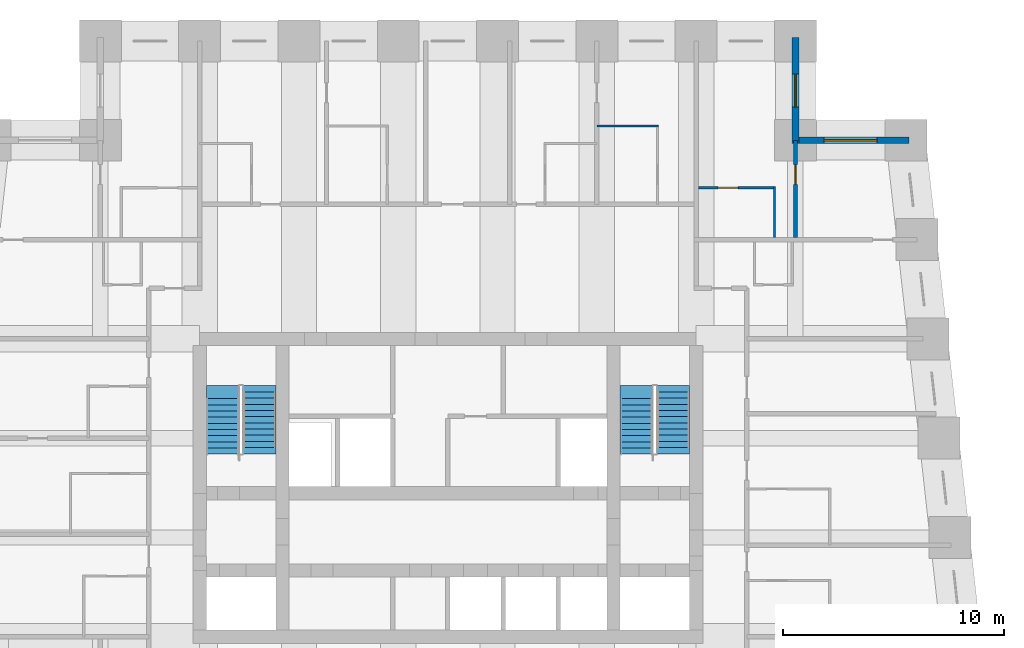
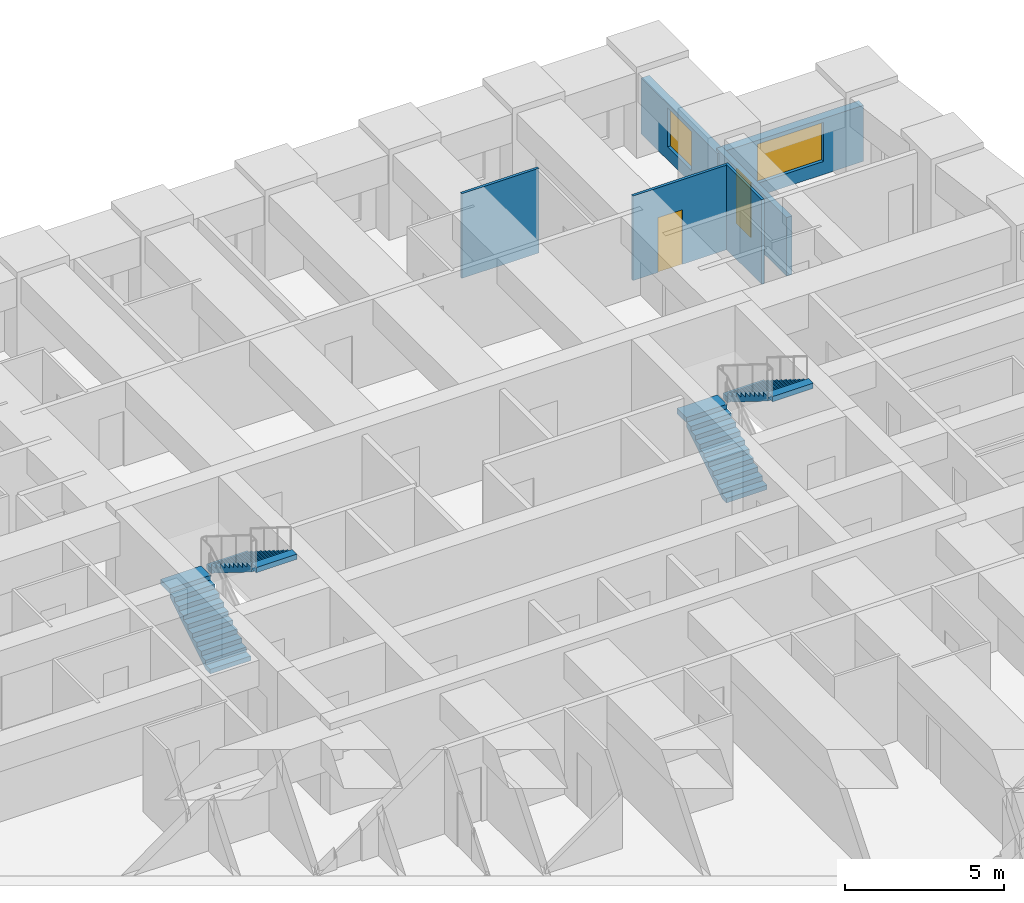
# One storey, part 7 of 8: 6 walls, 4 stair flights, 2 doors, 2 windows, 4 openings, 2 elements without a shape of their own.
"""IFC4 building model written with IfcOpenShell, lengths in metres."""

from ifc_helpers import new_model, si_unit, direction, frame, frame_2d, origin, place, context, subcontext, project, spatial, polyline, rectangle, outline, extrude, material, layer, layer_set, type_object, element, fill, aggregate, save


model = new_model("IFC4")

# Units and contexts
model_context = context("Model", 3, precision=1e-05, world=origin(), true_north=direction((0.0, 1.0)))
body_context = subcontext(model_context, "Body", "Model", "MODEL_VIEW")
ifc_project = project(units=[si_unit("LENGTHUNIT", "METRE"), si_unit("AREAUNIT", "SQUARE_METRE"), si_unit("VOLUMEUNIT", "CUBIC_METRE"), si_unit("PLANEANGLEUNIT", "RADIAN"), si_unit("MASSUNIT", "GRAM", prefix="KILO")], contexts=[model_context])

# Site, building, storey
site_placement = place(None, origin())
site = spatial("IfcSite", under=ifc_project, at=site_placement, CompositionType="ELEMENT")
building_placement = place(site_placement, origin())
building = spatial("IfcBuilding", under=site, at=building_placement, Name="Kilele Tower Hotel", CompositionType="ELEMENT")
storey_placement = place(building_placement, frame((0.0, 0.0, 110.89990234375)))
storey = spatial("IfcBuildingStorey", under=building, at=storey_placement, Name="L28", CompositionType="ELEMENT", Elevation=110.89990234375)

# Walls
ifc_material_1 = material(Name="Moisture-resistant board")
ifc_layer_1 = layer(ifc_material_1, 0.10009765625)
ifc_layer_set_1 = layer_set([ifc_layer_1], Name="Moisture-resistant board")
wall_type_1 = type_object("IfcWallType", Name="Bathroom partition 100", PredefinedType="PLUMBINGWALL", material=ifc_layer_set_1)
wall_1_placement = place(storey_placement, frame((31.5, 36.64990234375, 0.0), z_axis=(0.0, 0.0, 1.0), x_axis=(1.0, 0.0, 0.0)))
element("IfcWall", 1, at=wall_1_placement, inside=storey, type_object=wall_type_1, Name="Bathroom partition 100 L28", PredefinedType="PLUMBINGWALL", context=body_context, shape_type="SweptSolid", body=[
    extrude(rectangle(XDim=2.800048828125, YDim=0.10009765625, at=frame_2d((1.39990234375, 0.0))), origin(), (0.0, 0.0, 1.0), 3.25),
])
wall_2_placement = place(storey_placement, frame((39.550048828125, 31.60009765625, 0.0), z_axis=(0.0, 0.0, 1.0), x_axis=(0.0, 1.0, 0.0)))
element("IfcWall", 2, at=wall_2_placement, inside=storey, type_object=wall_type_1, Name="Bathroom partition 100 L28", PredefinedType="PLUMBINGWALL", context=body_context, shape_type="SweptSolid", body=[
    extrude(rectangle(XDim=2.2998046875, YDim=0.10009765625, at=frame_2d((1.14990234375, 0.0))), origin(), (0.0, 0.0, 1.0), 3.25),
])

# Wall, opening, door
wall_3_placement = place(storey_placement, frame((36.10009765625, 33.85009765625, 0.0), z_axis=(0.0, 0.0, 1.0), x_axis=(1.0, 0.0, 0.0)))
wall_3 = element("IfcWall", 3, at=wall_3_placement, inside=storey, type_object=wall_type_1, Name="Bathroom partition 100 L28", PredefinedType="PLUMBINGWALL", context=body_context, shape_type="SweptSolid", body=[
    extrude(rectangle(XDim=3.5, YDim=0.10009765625, at=frame_2d((1.75, 0.0))), origin(), (0.0, 0.0, 1.0), 3.25),
])
opening_1_placement = place(wall_3_placement, frame((0.89990234375, 0.0, 0.0)))
opening_1 = element("IfcOpeningElement", 4, at=opening_1_placement, cuts=wall_3, Name="Opening D2A", PredefinedType="OPENING", context=body_context, shape_type="SweptSolid", body=[
    extrude(rectangle(XDim=0.89990234375, YDim=2.10009765625, at=frame_2d((0.449951171875, 1.050048828125))), frame((0.0, 0.06005859375, 0.0), z_axis=(0.0, -1.0, 0.0), x_axis=(1.0, 0.0, 0.0)), (0.0, 0.0, 1.0), 0.1201171875),
])
ifc_material_2 = material(Name="Timber door leaf in hardwood frame", Category="wood")
door_type_1 = type_object("IfcDoorType", Name="Bathroom door 900", OperationType="SINGLE_SWING_LEFT", PredefinedType="DOOR", material=ifc_material_2)
door_1_placement = place(opening_1_placement, origin())
door_1 = element("IfcDoor", 5, at=door_1_placement, inside=storey, type_object=door_type_1, Name="Bathroom door 2824B", OperationType="SINGLE_SWING_LEFT", OverallHeight=2.10009765625, OverallWidth=0.89990234375, PredefinedType="DOOR", context=body_context, shape_type="SweptSolid", body=[
    extrude(rectangle(XDim=0.89990234375, YDim=2.10009765625, at=frame_2d((0.449951171875, 1.050048828125))), frame((0.0, 0.02490234375, 0.0), z_axis=(0.0, -1.0, 0.0), x_axis=(1.0, 0.0, 0.0)), (0.0, 0.0, 1.0), 0.050048828125),
])
fill(opening_1, door_1)

ifc_material_3 = material(Name="Blockwork, plastered both sides", Category="masonry")
ifc_layer_2 = layer(ifc_material_3, 0.199951171875)
ifc_layer_set_2 = layer_set([ifc_layer_2], Name="Blockwork, plastered both sides")
wall_type_2 = type_object("IfcWallType", Name="Partition wall 200", PredefinedType="PARTITIONING", material=ifc_layer_set_2)
wall_4_placement = place(storey_placement, frame((40.5, 31.60009765625, 0.0), z_axis=(0.0, 0.0, 1.0), x_axis=(0.0, 1.0, 0.0)))
wall_4 = element("IfcWall", 6, at=wall_4_placement, inside=storey, type_object=wall_type_2, Name="Partition wall 200 L28", PredefinedType="PARTITIONING", context=body_context, shape_type="SweptSolid", body=[
    extrude(rectangle(XDim=4.39990234375, YDim=0.199951171875, at=frame_2d((2.199951171875, 0.0))), origin(), (0.0, 0.0, 1.0), 2.25),
])
opening_2_placement = place(wall_4_placement, frame((2.39990234375, 0.0, 0.0)))
opening_2 = element("IfcOpeningElement", 7, at=opening_2_placement, cuts=wall_4, Name="Opening D3", PredefinedType="OPENING", context=body_context, shape_type="SweptSolid", body=[
    extrude(rectangle(XDim=0.89990234375, YDim=2.10009765625, at=frame_2d((0.449951171875, 1.050048828125))), frame((0.0, 0.10986328125, 0.0), z_axis=(0.0, -1.0, 0.0), x_axis=(1.0, 0.0, 0.0)), (0.0, 0.0, 1.0), 0.219970703125),
])
ifc_material_4 = material(Name="Timber door leaf in hardwood frame", Category="wood")
door_type_2 = type_object("IfcDoorType", Name="Suite internal door 900", OperationType="SINGLE_SWING_LEFT", PredefinedType="DOOR", material=ifc_material_4)
door_2_placement = place(opening_2_placement, origin())
door_2 = element("IfcDoor", 8, at=door_2_placement, inside=storey, type_object=door_type_2, Name="Suite door 2825", OperationType="SINGLE_SWING_LEFT", OverallHeight=2.10009765625, OverallWidth=0.89990234375, PredefinedType="DOOR", context=body_context, shape_type="SweptSolid", body=[
    extrude(rectangle(XDim=0.89990234375, YDim=2.10009765625, at=frame_2d((0.449951171875, 1.050048828125))), frame((0.0, 0.02490234375, 0.0), z_axis=(0.0, -1.0, 0.0), x_axis=(1.0, 0.0, 0.0)), (0.0, 0.0, 1.0), 0.050048828125),
])
fill(opening_2, door_2)

# Wall, opening, window
ifc_material_5 = material(Name="Concrete C40/50 precast", Category="concrete")
ifc_layer_3 = layer(ifc_material_5, 0.260009765625, Name="Precast backing", Category="LoadBearing")
ifc_material_6 = material(Name="Reconstituted stone finish", Category="masonry")
ifc_layer_4 = layer(ifc_material_6, 0.0400390625, Name="Face mix", Category="Finish")
ifc_layer_set_3 = layer_set([ifc_layer_3, ifc_layer_4], Name="Precast concrete C40/50, reconstituted stone finish")
wall_type_3 = type_object("IfcWallType", Name="Precast stone facade wall 300", PredefinedType="STANDARD", material=ifc_layer_set_3)
wall_5_placement = place(storey_placement, frame((45.64990234375, 36.0, 0.0), z_axis=(0.0, 0.0, 1.0), x_axis=(-1.0, 0.0, 0.0)))
wall_5 = element("IfcWall", 9, at=wall_5_placement, inside=storey, type_object=wall_type_3, Name="Facade wall L28 edge 7", PredefinedType="STANDARD", context=body_context, shape_type="SweptSolid", body=[
    extrude(rectangle(XDim=5.2998046875, YDim=0.300048828125, at=frame_2d((2.64990234375, 0.0))), origin(), (0.0, 0.0, 1.0), 2.150146484375),
])
opening_3_placement = place(wall_5_placement, frame((1.449951171875, 0.0, 0.5)))
opening_3 = element("IfcOpeningElement", 10, at=opening_3_placement, cuts=wall_5, Name="Opening W2", PredefinedType="OPENING", context=body_context, shape_type="SweptSolid", body=[
    extrude(rectangle(XDim=2.39990234375, YDim=1.5, at=frame_2d((1.199951171875, 0.75))), frame((0.0, 0.159912109375, 0.0), z_axis=(0.0, -1.0, 0.0), x_axis=(1.0, 0.0, 0.0)), (0.0, 0.0, 1.0), 0.320068359375),
])
ifc_material_7 = material(Name="Aluminium frame, clear double glazing", Category="aluminium")
window_type_1 = type_object("IfcWindowType", Name="Window W2 2400 x 1500", PartitioningType="SINGLE_PANEL", PredefinedType="WINDOW", material=ifc_material_7)
window_1_placement = place(opening_3_placement, origin())
window_1 = element("IfcWindow", 11, at=window_1_placement, inside=storey, type_object=window_type_1, Name="Window L28", OverallHeight=1.5, OverallWidth=2.39990234375, PartitioningType="SINGLE_PANEL", PredefinedType="WINDOW", context=body_context, shape_type="SweptSolid", body=[
    extrude(rectangle(XDim=2.39990234375, YDim=1.5, at=frame_2d((1.199951171875, 0.75))), frame((0.0, 0.030029296875, 0.0), z_axis=(0.0, -1.0, 0.0), x_axis=(1.0, 0.0, 0.0)), (0.0, 0.0, 1.0), 0.06005859375),
])
fill(opening_3, window_1)

wall_6_placement = place(storey_placement, frame((40.5, 35.85009765625, 0.0), z_axis=(0.0, 0.0, 1.0), x_axis=(0.0, 1.0, 0.0)))
wall_6 = element("IfcWall", 12, at=wall_6_placement, inside=storey, type_object=wall_type_3, Name="Facade wall L28 edge 8", PredefinedType="STANDARD", context=body_context, shape_type="SweptSolid", body=[
    extrude(rectangle(XDim=4.7998046875, YDim=0.300048828125, at=frame_2d((2.39990234375, 0.0))), origin(), (0.0, 0.0, 1.0), 2.150146484375),
])
opening_4_placement = place(wall_6_placement, frame((1.64990234375, 0.0, 0.5)))
opening_4 = element("IfcOpeningElement", 13, at=opening_4_placement, cuts=wall_6, Name="Opening W2", PredefinedType="OPENING", context=body_context, shape_type="SweptSolid", body=[
    extrude(rectangle(XDim=1.5, YDim=1.5, at=frame_2d((0.75, 0.75))), frame((0.0, 0.159912109375, 0.0), z_axis=(0.0, -1.0, 0.0), x_axis=(1.0, 0.0, 0.0)), (0.0, 0.0, 1.0), 0.320068359375),
])
ifc_material_8 = material(Name="Aluminium frame, clear double glazing", Category="aluminium")
window_type_2 = type_object("IfcWindowType", Name="Window W2 1500 x 1500", PartitioningType="SINGLE_PANEL", PredefinedType="WINDOW", material=ifc_material_8)
window_2_placement = place(opening_4_placement, origin())
window_2 = element("IfcWindow", 14, at=window_2_placement, inside=storey, type_object=window_type_2, Name="Window L28", OverallHeight=1.5, OverallWidth=1.5, PartitioningType="SINGLE_PANEL", PredefinedType="WINDOW", context=body_context, shape_type="SweptSolid", body=[
    extrude(rectangle(XDim=1.5, YDim=1.5, at=frame_2d((0.75, 0.75))), frame((0.0, 0.030029296875, 0.0), z_axis=(0.0, -1.0, 0.0), x_axis=(1.0, 0.0, 0.0)), (0.0, 0.0, 1.0), 0.06005859375),
])
fill(opening_4, window_2)

# Stair, stair flights
ifc_material_9 = material(Name="Precast concrete C40/50", Category="concrete")
stair_type = type_object("IfcStairType", Name="Stair 1475 x 3500", PredefinedType="HALF_TURN_STAIR", material=ifc_material_9)
stair_1_placement = place(storey_placement, origin())
stair_1 = element("IfcStair", 15, at=stair_1_placement, inside=storey, type_object=stair_type, Name="Stair 1 L28", PredefinedType="HALF_TURN_STAIR")
ifc_material_10 = material(Name="Precast concrete C40/50", Category="concrete")
stair_flight_type = type_object("IfcStairFlightType", Name="Flight 1475 riser 175.0", PredefinedType="STRAIGHT", material=ifc_material_10)
stair_flight_1_placement = place(storey_placement, frame((14.53759765625, 21.77490234375, 0.0), z_axis=(0.0, 0.0, 1.0), x_axis=(0.0, 1.0, 0.0)))
stair_flight_1 = element("IfcStairFlight", 16, at=stair_flight_1_placement, type_object=stair_flight_type, Name="ST1 flight 1", NumberOfRisers=10, NumberOfTreads=9, PredefinedType="STRAIGHT", RiserHeight=0.175, TreadLength=0.28, context=body_context, shape_type="SweptSolid", body=[
    extrude(outline(polyline([(0.0, 0.0), (0.0, 0.175048828125), (0.280029296875, 0.175048828125), (0.280029296875, 0.35009765625), (0.56005859375, 0.35009765625), (0.56005859375, 0.52490234375), (0.840087890625, 0.52490234375), (0.840087890625, 0.699951171875), (1.1201171875, 0.699951171875), (1.1201171875, 0.875), (1.39990234375, 0.875), (1.39990234375, 1.050048828125), (1.679931640625, 1.050048828125), (1.679931640625, 1.22509765625), (1.9599609375, 1.22509765625), (1.9599609375, 1.39990234375), (2.239990234375, 1.39990234375), (2.239990234375, 1.574951171875), (2.52001953125, 1.574951171875), (2.52001953125, 1.75), (2.52001953125, 1.398193359375), (0.28271484375, 0.0), (0.0, 0.0)])), frame((0.0, 0.737548828125, 0.0), z_axis=(0.0, -1.0, 0.0), x_axis=(1.0, 0.0, 0.0)), (0.0, 0.0, 1.0), 1.47509765625),
    extrude(outline(polyline([(2.52001953125, 0.737548828125), (2.52001953125, -0.7373046875), (3.1201171875, -0.7373046875), (3.1201171875, 0.737548828125), (2.52001953125, 0.737548828125)])), frame((0.0, 0.0, 1.550048828125)), (0.0, 0.0, 1.0), 0.199951171875),
])
stair_flight_2_placement = place(storey_placement, frame((16.21240234375, 24.594970703125, 1.75), z_axis=(0.0, 0.0, 1.0), x_axis=(0.0, -1.0, 0.0)))
stair_flight_2 = element("IfcStairFlight", 17, at=stair_flight_2_placement, type_object=stair_flight_type, Name="ST1 flight 2", NumberOfRisers=10, NumberOfTreads=9, PredefinedType="STRAIGHT", RiserHeight=0.175, TreadLength=0.28, context=body_context, shape_type="SweptSolid", body=[
    extrude(outline(polyline([(0.0, 0.0), (0.0, 0.175048828125), (0.280029296875, 0.175048828125), (0.280029296875, 0.35009765625), (0.56005859375, 0.35009765625), (0.56005859375, 0.52490234375), (0.840087890625, 0.52490234375), (0.840087890625, 0.699951171875), (1.1201171875, 0.699951171875), (1.1201171875, 0.875), (1.39990234375, 0.875), (1.39990234375, 1.050048828125), (1.679931640625, 1.050048828125), (1.679931640625, 1.22509765625), (1.9599609375, 1.22509765625), (1.9599609375, 1.39990234375), (2.239990234375, 1.39990234375), (2.239990234375, 1.574951171875), (2.52001953125, 1.574951171875), (2.52001953125, 1.75), (2.52001953125, 1.398193359375), (0.28271484375, 0.0), (0.0, 0.0)])), frame((0.0, 0.737548828125, 0.0), z_axis=(0.0, -1.0, 0.0), x_axis=(1.0, 0.0, 0.0)), (0.0, 0.0, 1.0), 1.47509765625),
    extrude(outline(polyline([(0.0, -0.7373046875), (0.0, 0.737548828125), (-0.300048828125, 0.737548828125), (-0.300048828125, -0.7373046875), (0.0, -0.7373046875)])), frame((0.0, 0.0, -0.199951171875)), (0.0, 0.0, 1.0), 0.199951171875),
    extrude(outline(polyline([(2.820068359375, -0.7373046875), (2.820068359375, 0.737548828125), (2.52001953125, 0.737548828125), (2.52001953125, -0.7373046875), (2.820068359375, -0.7373046875)])), frame((0.0, 0.0, 1.550048828125)), (0.0, 0.0, 1.0), 0.199951171875),
])
aggregate(stair_1, [stair_flight_1, stair_flight_2])

stair_2_placement = place(storey_placement, origin())
stair_2 = element("IfcStair", 18, at=stair_2_placement, inside=storey, type_object=stair_type, Name="Stair 2 L28", PredefinedType="HALF_TURN_STAIR")
stair_flight_3_placement = place(storey_placement, frame((33.28759765625, 21.77490234375, 0.0), z_axis=(0.0, 0.0, 1.0), x_axis=(0.0, 1.0, 0.0)))
stair_flight_3 = element("IfcStairFlight", 19, at=stair_flight_3_placement, type_object=stair_flight_type, Name="ST2 flight 1", NumberOfRisers=10, NumberOfTreads=9, PredefinedType="STRAIGHT", RiserHeight=0.175, TreadLength=0.28, context=body_context, shape_type="SweptSolid", body=[
    extrude(outline(polyline([(0.0, 0.0), (0.0, 0.175048828125), (0.280029296875, 0.175048828125), (0.280029296875, 0.35009765625), (0.56005859375, 0.35009765625), (0.56005859375, 0.52490234375), (0.840087890625, 0.52490234375), (0.840087890625, 0.699951171875), (1.1201171875, 0.699951171875), (1.1201171875, 0.875), (1.39990234375, 0.875), (1.39990234375, 1.050048828125), (1.679931640625, 1.050048828125), (1.679931640625, 1.22509765625), (1.9599609375, 1.22509765625), (1.9599609375, 1.39990234375), (2.239990234375, 1.39990234375), (2.239990234375, 1.574951171875), (2.52001953125, 1.574951171875), (2.52001953125, 1.75), (2.52001953125, 1.398193359375), (0.28271484375, 0.0), (0.0, 0.0)])), frame((0.0, 0.737548828125, 0.0), z_axis=(0.0, -1.0, 0.0), x_axis=(1.0, 0.0, 0.0)), (0.0, 0.0, 1.0), 1.47509765625),
    extrude(outline(polyline([(2.52001953125, 0.737548828125), (2.52001953125, -0.7373046875), (3.1201171875, -0.7373046875), (3.1201171875, 0.737548828125), (2.52001953125, 0.737548828125)])), frame((0.0, 0.0, 1.550048828125)), (0.0, 0.0, 1.0), 0.199951171875),
])
stair_flight_4_placement = place(storey_placement, frame((34.96240234375, 24.594970703125, 1.75), z_axis=(0.0, 0.0, 1.0), x_axis=(0.0, -1.0, 0.0)))
stair_flight_4 = element("IfcStairFlight", 20, at=stair_flight_4_placement, type_object=stair_flight_type, Name="ST2 flight 2", NumberOfRisers=10, NumberOfTreads=9, PredefinedType="STRAIGHT", RiserHeight=0.175, TreadLength=0.28, context=body_context, shape_type="SweptSolid", body=[
    extrude(outline(polyline([(0.0, 0.0), (0.0, 0.175048828125), (0.280029296875, 0.175048828125), (0.280029296875, 0.35009765625), (0.56005859375, 0.35009765625), (0.56005859375, 0.52490234375), (0.840087890625, 0.52490234375), (0.840087890625, 0.699951171875), (1.1201171875, 0.699951171875), (1.1201171875, 0.875), (1.39990234375, 0.875), (1.39990234375, 1.050048828125), (1.679931640625, 1.050048828125), (1.679931640625, 1.22509765625), (1.9599609375, 1.22509765625), (1.9599609375, 1.39990234375), (2.239990234375, 1.39990234375), (2.239990234375, 1.574951171875), (2.52001953125, 1.574951171875), (2.52001953125, 1.75), (2.52001953125, 1.398193359375), (0.28271484375, 0.0), (0.0, 0.0)])), frame((0.0, 0.737548828125, 0.0), z_axis=(0.0, -1.0, 0.0), x_axis=(1.0, 0.0, 0.0)), (0.0, 0.0, 1.0), 1.47509765625),
    extrude(outline(polyline([(0.0, -0.7373046875), (0.0, 0.737548828125), (-0.300048828125, 0.737548828125), (-0.300048828125, -0.7373046875), (0.0, -0.7373046875)])), frame((0.0, 0.0, -0.199951171875)), (0.0, 0.0, 1.0), 0.199951171875),
    extrude(outline(polyline([(2.820068359375, -0.7373046875), (2.820068359375, 0.737548828125), (2.52001953125, 0.737548828125), (2.52001953125, -0.7373046875), (2.820068359375, -0.7373046875)])), frame((0.0, 0.0, 1.550048828125)), (0.0, 0.0, 1.0), 0.199951171875),
])
aggregate(stair_2, [stair_flight_3, stair_flight_4])

save(model, "model.ifc")
